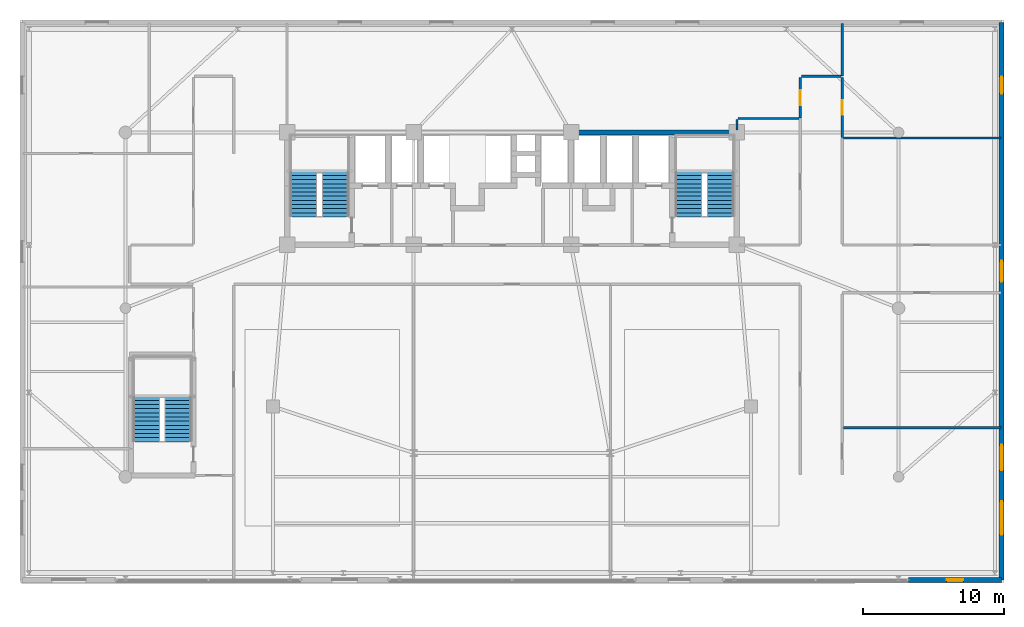
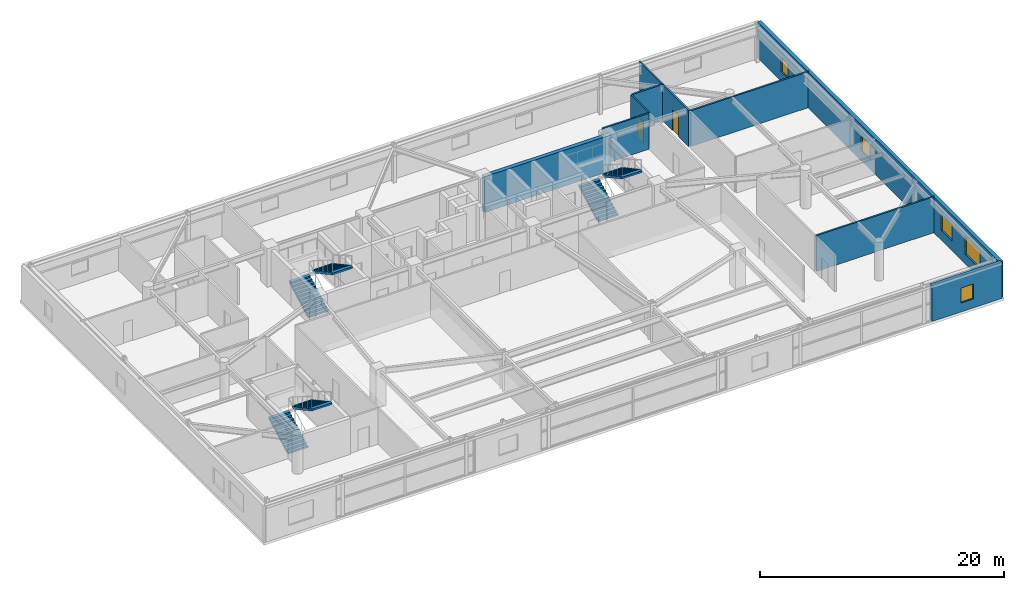
# One storey, part 23 of 26: 11 walls, 6 stair flights, 5 windows, 2 doors, 7 openings, 3 elements without a shape of their own.
"""IFC4 building model written with IfcOpenShell, lengths in metres."""

from ifc_helpers import new_model, si_unit, direction, frame, frame_2d, origin, place, context, subcontext, project, spatial, polyline, rectangle, outline, extrude, source, transform, mapped, material, layer, layer_set, type_object, element, fill, aggregate, save


model = new_model("IFC4")

# Units and contexts
model_context = context("Model", 3, precision=1e-05, world=origin(), true_north=direction((0.0, 1.0)))
body_context = subcontext(model_context, "Body", "Model", "MODEL_VIEW")
ifc_project = project(units=[si_unit("LENGTHUNIT", "METRE"), si_unit("AREAUNIT", "SQUARE_METRE"), si_unit("VOLUMEUNIT", "CUBIC_METRE"), si_unit("PLANEANGLEUNIT", "RADIAN"), si_unit("MASSUNIT", "GRAM", prefix="KILO")], contexts=[model_context])

# Site, building, storey
site_placement = place(None, origin())
site = spatial("IfcSite", under=ifc_project, at=site_placement, CompositionType="ELEMENT")
building_placement = place(site_placement, origin())
building = spatial("IfcBuilding", under=site, at=building_placement, Name="Taldren Reach Tower", CompositionType="ELEMENT")
storey_placement = place(building_placement, frame((0.0, 0.0, 4.550048828125)))
storey = spatial("IfcBuildingStorey", under=building, at=storey_placement, Name="L01", CompositionType="ELEMENT", Elevation=4.550048828125)

# Wall, opening, window
ifc_material_1 = material(Name="Pale Champagne Anodised Aluminium Cladding", Category="aluminium")
ifc_layer_1 = layer(ifc_material_1, 0.04, Name="Pale Champagne Anodised Aluminium Cladding", Category="aluminium")
ifc_material_2 = material(Name="Mineral Wool Thermal Insulation", Category="insulation")
ifc_layer_2 = layer(ifc_material_2, 0.08, Name="Mineral Wool Thermal Insulation", Category="insulation")
ifc_material_3 = material(Name="Concrete S50 (50 MPa)", Category="concrete")
ifc_layer_3 = layer(ifc_material_3, 0.22, Name="Concrete S50 (50 MPa)", Category="concrete")
ifc_layer_set_1 = layer_set([ifc_layer_1, ifc_layer_2, ifc_layer_3], Name="Pale Champagne Aluminium Cladding and Precast Concrete 50 MPa (S50)")
wall_type_1 = type_object("IfcWallType", Name="EW-POD-340", PredefinedType="SOLIDWALL", material=ifc_layer_set_1)
shared_shape_1 = source(origin(), body_context, "Body", "SweptSolid", [
    extrude(rectangle(XDim=6.630126953125, YDim=0.340087890625, at=frame_2d((3.31494140625, 0.0))), origin(), (0.0, 0.0, 1.0), 3.58984375),
])
wall_1_placement = place(storey_placement, frame((63.199951171875, 0.169921875, 0.0), z_axis=(0.0, 0.0, 1.0), x_axis=(1.0, 0.0, 0.0)))
wall_1 = element("IfcWall", 1, at=wall_1_placement, inside=storey, type_object=wall_type_1, Name="Podium south facade wall L01-S4", PredefinedType="SOLIDWALL", context=body_context, shape_type="MappedRepresentation", body=[
    mapped(shared_shape_1, transform((0.0, 0.0, 0.0), scale=1.0)),
])
shared_shape_2 = source(origin(), body_context, "Body", "SweptSolid", [
    extrude(rectangle(XDim=1.199951171875, YDim=1.5, at=frame_2d((0.60009765625, 0.75))), frame((0.0, 0.18017578125, 0.0), z_axis=(0.0, -1.0, 0.0), x_axis=(1.0, 0.0, 0.0)), (0.0, 0.0, 1.0), 0.360107421875),
])
opening_1_placement = place(wall_1_placement, frame((2.715087890625, 0.0, 0.89990234375)))
opening_1 = element("IfcOpeningElement", 2, at=opening_1_placement, cuts=wall_1, Name="Opening W-1215", PredefinedType="OPENING", context=body_context, shape_type="MappedRepresentation", body=[
    mapped(shared_shape_2, transform((0.0, 0.0, 0.0), scale=1.0)),
])
ifc_material_4 = material(Name="Thermally Broken Aluminium and Low-E IGU", Category="aluminium")
window_type_1 = type_object("IfcWindowType", Name="WN-POD-1200", PartitioningType="SINGLE_PANEL", PredefinedType="WINDOW", material=ifc_material_4)
shared_shape_3 = source(origin(), body_context, "Body", "SweptSolid", [
    extrude(rectangle(XDim=1.199951171875, YDim=1.5, at=frame_2d((0.60009765625, 0.75))), frame((0.0, 0.030029296875, 0.0), z_axis=(0.0, -1.0, 0.0), x_axis=(1.0, 0.0, 0.0)), (0.0, 0.0, 1.0), 0.06005859375),
])
window_1_placement = place(opening_1_placement, origin())
window_1 = element("IfcWindow", 3, at=window_1_placement, inside=storey, type_object=window_type_1, Name="Podium clinical window L01-S4", OverallHeight=1.5, OverallWidth=1.199951171875, PartitioningType="SINGLE_PANEL", PredefinedType="WINDOW", context=body_context, shape_type="MappedRepresentation", body=[
    mapped(shared_shape_3, transform((0.0, 0.0, 0.0), scale=1.0)),
])
fill(opening_1, window_1)

# Wall, openings, windows
shared_shape_4 = source(origin(), body_context, "Body", "SweptSolid", [
    extrude(rectangle(XDim=39.66015625, YDim=0.340087890625, at=frame_2d((19.830078125, 0.0))), origin(), (0.0, 0.0, 1.0), 3.58984375),
])
wall_2_placement = place(storey_placement, frame((69.830078125, 0.169921875, 0.0), z_axis=(0.0, 0.0, 1.0), x_axis=(0.0, 1.0, 0.0)))
wall_2 = element("IfcWall", 4, at=wall_2_placement, inside=storey, type_object=wall_type_1, Name="Podium facade wall L01-E", PredefinedType="SOLIDWALL", context=body_context, shape_type="MappedRepresentation", body=[
    mapped(shared_shape_4, transform((0.0, 0.0, 0.0), scale=1.0)),
])
shared_shape_5 = source(origin(), body_context, "Body", "SweptSolid", [
    extrude(rectangle(XDim=2.39990234375, YDim=1.800048828125, at=frame_2d((1.199951171875, 0.89990234375))), frame((0.0, 0.18017578125, 0.0), z_axis=(0.0, -1.0, 0.0), x_axis=(1.0, 0.0, 0.0)), (0.0, 0.0, 1.0), 0.360107421875),
])
opening_2_placement = place(wall_2_placement, frame((3.199951171875, 0.0, 0.949951171875)))
opening_2 = element("IfcOpeningElement", 5, at=opening_2_placement, cuts=wall_2, Name="Opening W-2418", PredefinedType="OPENING", context=body_context, shape_type="MappedRepresentation", body=[
    mapped(shared_shape_5, transform((0.0, 0.0, 0.0), scale=1.0)),
])
shared_shape_6 = source(origin(), body_context, "Body", "SweptSolid", [
    extrude(rectangle(XDim=1.800048828125, YDim=1.60009765625, at=frame_2d((0.89990234375, 0.800048828125))), frame((0.0, 0.18017578125, 0.0), z_axis=(0.0, -1.0, 0.0), x_axis=(1.0, 0.0, 0.0)), (0.0, 0.0, 1.0), 0.360107421875),
])
opening_3_placement = place(wall_2_placement, frame((7.800048828125, 0.0, 0.949951171875)))
opening_3 = element("IfcOpeningElement", 6, at=opening_3_placement, cuts=wall_2, Name="Opening W-1816", PredefinedType="OPENING", context=body_context, shape_type="MappedRepresentation", body=[
    mapped(shared_shape_6, transform((0.0, 0.0, 0.0), scale=1.0)),
])
shared_shape_7 = source(origin(), body_context, "Body", "SweptSolid", [
    extrude(rectangle(XDim=1.5, YDim=1.5, at=frame_2d((0.75, 0.75))), frame((0.0, 0.18017578125, 0.0), z_axis=(0.0, -1.0, 0.0), x_axis=(1.0, 0.0, 0.0)), (0.0, 0.0, 1.0), 0.360107421875),
])
opening_4_placement = place(wall_2_placement, frame((21.199951171875, 0.0, 0.949951171875)))
opening_4 = element("IfcOpeningElement", 7, at=opening_4_placement, cuts=wall_2, Name="Opening W-1515", PredefinedType="OPENING", context=body_context, shape_type="MappedRepresentation", body=[
    mapped(shared_shape_7, transform((0.0, 0.0, 0.0), scale=1.0)),
])
opening_5_placement = place(wall_2_placement, frame((34.60009765625, 0.0, 0.949951171875)))
opening_5 = element("IfcOpeningElement", 8, at=opening_5_placement, cuts=wall_2, Name="Opening W-1215", PredefinedType="OPENING", context=body_context, shape_type="MappedRepresentation", body=[
    mapped(shared_shape_2, transform((0.0, 0.0, 0.0), scale=1.0)),
])
window_2_placement = place(opening_5_placement, origin())
window_2 = element("IfcWindow", 9, at=window_2_placement, inside=storey, type_object=window_type_1, Name="Clinical window L01-E4", OverallHeight=1.5, OverallWidth=1.199951171875, PartitioningType="SINGLE_PANEL", PredefinedType="WINDOW", context=body_context, shape_type="MappedRepresentation", body=[
    mapped(shared_shape_3, transform((0.0, 0.0, 0.0), scale=1.0)),
])
fill(opening_5, window_2)
window_type_2 = type_object("IfcWindowType", Name="WN-POD-1800", PartitioningType="SINGLE_PANEL", PredefinedType="WINDOW", material=ifc_material_4)
shared_shape_8 = source(origin(), body_context, "Body", "SweptSolid", [
    extrude(rectangle(XDim=1.800048828125, YDim=1.60009765625, at=frame_2d((0.89990234375, 0.800048828125))), frame((0.0, 0.030029296875, 0.0), z_axis=(0.0, -1.0, 0.0), x_axis=(1.0, 0.0, 0.0)), (0.0, 0.0, 1.0), 0.06005859375),
])
window_3_placement = place(opening_3_placement, origin())
window_3 = element("IfcWindow", 10, at=window_3_placement, inside=storey, type_object=window_type_2, Name="Clinical window L01-E2", OverallHeight=1.60009765625, OverallWidth=1.800048828125, PartitioningType="SINGLE_PANEL", PredefinedType="WINDOW", context=body_context, shape_type="MappedRepresentation", body=[
    mapped(shared_shape_8, transform((0.0, 0.0, 0.0), scale=1.0)),
])
fill(opening_3, window_3)
window_type_3 = type_object("IfcWindowType", Name="WN-POD-2400", PartitioningType="SINGLE_PANEL", PredefinedType="WINDOW", material=ifc_material_4)
shared_shape_9 = source(origin(), body_context, "Body", "SweptSolid", [
    extrude(rectangle(XDim=2.39990234375, YDim=1.800048828125, at=frame_2d((1.199951171875, 0.89990234375))), frame((0.0, 0.030029296875, 0.0), z_axis=(0.0, -1.0, 0.0), x_axis=(1.0, 0.0, 0.0)), (0.0, 0.0, 1.0), 0.06005859375),
])
window_4_placement = place(opening_2_placement, origin())
window_4 = element("IfcWindow", 11, at=window_4_placement, inside=storey, type_object=window_type_3, Name="Clinical window L01-E1", OverallHeight=1.800048828125, OverallWidth=2.39990234375, PartitioningType="SINGLE_PANEL", PredefinedType="WINDOW", context=body_context, shape_type="MappedRepresentation", body=[
    mapped(shared_shape_9, transform((0.0, 0.0, 0.0), scale=1.0)),
])
fill(opening_2, window_4)
window_type_4 = type_object("IfcWindowType", Name="WN-POD-1500", PartitioningType="SINGLE_PANEL", PredefinedType="WINDOW", material=ifc_material_4)
shared_shape_10 = source(origin(), body_context, "Body", "SweptSolid", [
    extrude(rectangle(XDim=1.5, YDim=1.5, at=frame_2d((0.75, 0.75))), frame((0.0, 0.030029296875, 0.0), z_axis=(0.0, -1.0, 0.0), x_axis=(1.0, 0.0, 0.0)), (0.0, 0.0, 1.0), 0.06005859375),
])
window_5_placement = place(opening_4_placement, origin())
window_5 = element("IfcWindow", 12, at=window_5_placement, inside=storey, type_object=window_type_4, Name="Clinical window L01-E3", OverallHeight=1.5, OverallWidth=1.5, PartitioningType="SINGLE_PANEL", PredefinedType="WINDOW", context=body_context, shape_type="MappedRepresentation", body=[
    mapped(shared_shape_10, transform((0.0, 0.0, 0.0), scale=1.0)),
])
fill(opening_4, window_5)

# Wall
ifc_material_5 = material(Name="Concrete S80 (80 MPa)", Category="concrete")
ifc_layer_4 = layer(ifc_material_5, 0.3798828125)
ifc_layer_set_2 = layer_set([ifc_layer_4], Name="Concrete S80 (80 MPa)")
wall_type_2 = type_object("IfcWallType", Name="IW-CORE-380", PredefinedType="SHEAR", material=ifc_layer_set_2)
shared_shape_11 = source(origin(), body_context, "Body", "SweptSolid", [
    extrude(rectangle(XDim=11.989990234375, YDim=0.3798828125, at=frame_2d((5.9951171875, 0.0))), origin(), (0.0, 0.0, 1.0), 3.58984375),
])
wall_3_placement = place(storey_placement, frame((39.199951171875, 32.0, 0.0), z_axis=(0.0, 0.0, 1.0), x_axis=(1.0, 0.0, 0.0)))
element("IfcWall", 13, at=wall_3_placement, inside=storey, type_object=wall_type_2, Name="Rear Core Shear Wall W-CORE-L01-NORTH3", PredefinedType="SHEAR", context=body_context, shape_type="MappedRepresentation", body=[
    mapped(shared_shape_11, transform((0.0, 0.0, 0.0), scale=1.0)),
])

# Wall, opening, door
ifc_material_6 = material(Name="Fire-Rated Acoustic Plasterboard Stud Wall", Category="gypsum")
ifc_layer_5 = layer(ifc_material_6, 0.159912109375)
ifc_layer_set_3 = layer_set([ifc_layer_5], Name="Fire-Rated Acoustic Plasterboard Stud Wall")
wall_type_3 = type_object("IfcWallType", Name="IW-FIRE-160", PredefinedType="PARTITIONING", material=ifc_layer_set_3)
shared_shape_12 = source(origin(), body_context, "Body", "SweptSolid", [
    extrude(rectangle(XDim=4.291748046875, YDim=0.159912109375, at=frame_2d((2.14599609375, 0.0))), origin(), (0.0, 0.0, 1.0), 3.58984375),
])
wall_4_placement = place(storey_placement, frame((58.5, 35.919921875, 0.0), z_axis=(0.0, 0.0, 1.0), x_axis=(0.0, -1.0, 0.0)))
wall_4 = element("IfcWall", 14, at=wall_4_placement, inside=storey, type_object=wall_type_3, Name="Interior Partition Wall W-INT-L01-069", PredefinedType="PARTITIONING", context=body_context, shape_type="MappedRepresentation", body=[
    mapped(shared_shape_12, transform((0.0, 0.0, 0.0), scale=1.0)),
])
shared_shape_13 = source(origin(), body_context, "Body", "SweptSolid", [
    extrude(rectangle(XDim=1.050048828125, YDim=2.10009765625, at=frame_2d((0.52490234375, 1.050048828125))), frame((0.0, 0.08984375, 0.0), z_axis=(0.0, -1.0, 0.0), x_axis=(1.0, 0.0, 0.0)), (0.0, 0.0, 1.0), 0.179931640625),
])
opening_6_placement = place(wall_4_placement, frame((1.620849609375, 0.0, 0.0)))
opening_6 = element("IfcOpeningElement", 15, at=opening_6_placement, cuts=wall_4, Name="Opening DF-105", PredefinedType="OPENING", context=body_context, shape_type="MappedRepresentation", body=[
    mapped(shared_shape_13, transform((0.0, 0.0, 0.0), scale=1.0)),
])
ifc_material_7 = material(Name="Fire-Rated Care and Stair Exit Door")
door_type = type_object("IfcDoorType", Name="ID-FIRE-105", OperationType="NOTDEFINED", PredefinedType="DOOR", material=ifc_material_7)
shared_shape_14 = source(origin(), body_context, "Body", "SweptSolid", [
    extrude(rectangle(XDim=1.050048828125, YDim=2.10009765625, at=frame_2d((0.52490234375, 1.050048828125))), frame((0.0, 0.02490234375, 0.0), z_axis=(0.0, -1.0, 0.0), x_axis=(1.0, 0.0, 0.0)), (0.0, 0.0, 1.0), 0.050048828125),
])
door_1_placement = place(opening_6_placement, origin())
door_1 = element("IfcDoor", 16, at=door_1_placement, inside=storey, type_object=door_type, Name="Interior Door DR-L01-019", OperationType="SINGLE_SWING_RIGHT", OverallHeight=2.10009765625, OverallWidth=1.050048828125, PredefinedType="DOOR", context=body_context, shape_type="MappedRepresentation", body=[
    mapped(shared_shape_14, transform((0.0, 0.0, 0.0), scale=1.0)),
])
fill(opening_6, door_1)

shared_shape_15 = source(origin(), body_context, "Body", "SweptSolid", [
    extrude(rectangle(XDim=2.899658203125, YDim=0.159912109375, at=frame_2d((1.44970703125, 0.0))), origin(), (0.0, 0.0, 1.0), 3.58984375),
])
wall_5_placement = place(storey_placement, frame((55.5, 33.020263671875, 0.0), z_axis=(0.0, 0.0, 1.0), x_axis=(0.0, 1.0, 0.0)))
wall_5 = element("IfcWall", 17, at=wall_5_placement, inside=storey, type_object=wall_type_3, Name="Interior Partition Wall W-INT-L01-072", PredefinedType="PARTITIONING", context=body_context, shape_type="MappedRepresentation", body=[
    mapped(shared_shape_15, transform((0.0, 0.0, 0.0), scale=1.0)),
])
opening_7_placement = place(wall_5_placement, frame((0.9248046875, 0.0, 0.0)))
opening_7 = element("IfcOpeningElement", 18, at=opening_7_placement, cuts=wall_5, Name="Opening DF-105", PredefinedType="OPENING", context=body_context, shape_type="MappedRepresentation", body=[
    mapped(shared_shape_13, transform((0.0, 0.0, 0.0), scale=1.0)),
])
door_2_placement = place(opening_7_placement, origin())
door_2 = element("IfcDoor", 19, at=door_2_placement, inside=storey, type_object=door_type, Name="Interior Door DR-L01-021", OperationType="SINGLE_SWING_RIGHT", OverallHeight=2.10009765625, OverallWidth=1.050048828125, PredefinedType="DOOR", context=body_context, shape_type="MappedRepresentation", body=[
    mapped(shared_shape_14, transform((0.0, 0.0, 0.0), scale=1.0)),
])
fill(opening_7, door_2)

# Walls
shared_shape_16 = source(origin(), body_context, "Body", "SweptSolid", [
    extrude(rectangle(XDim=2.83984375, YDim=0.159912109375, at=frame_2d((1.419921875, 0.0))), origin(), (0.0, 0.0, 1.0), 3.58984375),
])
wall_6_placement = place(storey_placement, frame((55.580078125, 36.0, 0.0), z_axis=(0.0, 0.0, 1.0), x_axis=(1.0, 0.0, 0.0)))
element("IfcWall", 20, at=wall_6_placement, inside=storey, type_object=wall_type_3, Name="Interior Partition Wall W-INT-L01-073", PredefinedType="PARTITIONING", context=body_context, shape_type="MappedRepresentation", body=[
    mapped(shared_shape_16, transform((0.0, 0.0, 0.0), scale=1.0)),
])
shared_shape_17 = source(origin(), body_context, "Body", "SweptSolid", [
    extrude(rectangle(XDim=11.18994140625, YDim=0.159912109375, at=frame_2d((5.594970703125, 0.0))), origin(), (0.0, 0.0, 1.0), 3.58984375),
])
for number, where, z_axis, x_axis, name in (
    (21, (58.580078125, 11.0, 0.0), (0.0, 0.0, 1.0), (1.0, 0.0, 0.0), "Interior Partition Wall W-INT-L01-083"),
    (22, (58.580078125, 31.60791015625, 0.0), (0.0, 0.0, 1.0), (1.0, 0.0, 0.0), "Interior Partition Wall W-INT-L01-084"),
):
    element("IfcWall", number, at=place(storey_placement, frame(where, z_axis=z_axis, x_axis=x_axis)), inside=storey, type_object=wall_type_3, Name=name, PredefinedType="PARTITIONING", context=body_context, shape_type="MappedRepresentation", body=[
        mapped(shared_shape_17, transform((0.0, 0.0, 0.0), scale=1.0)),
    ])
shared_shape_18 = source(origin(), body_context, "Body", "SweptSolid", [
    extrude(rectangle(XDim=3.747802734375, YDim=0.159912109375, at=frame_2d((1.8740234375, 0.0))), origin(), (0.0, 0.0, 1.0), 3.58984375),
])
wall_7_placement = place(storey_placement, frame((58.5, 36.020263671875, 0.0), z_axis=(0.0, 0.0, 1.0), x_axis=(0.0, 1.0, 0.0)))
element("IfcWall", 23, at=wall_7_placement, inside=storey, type_object=wall_type_3, Name="Interior Partition Wall W-INT-L01-085", PredefinedType="PARTITIONING", context=body_context, shape_type="MappedRepresentation", body=[
    mapped(shared_shape_18, transform((0.0, 0.0, 0.0), scale=1.0)),
])
shared_shape_19 = source(origin(), body_context, "Body", "SweptSolid", [
    extrude(rectangle(XDim=4.33984375, YDim=0.159912109375, at=frame_2d((2.169921875, 0.0))), origin(), (0.0, 0.0, 1.0), 3.58984375),
])
wall_8_placement = place(storey_placement, frame((51.080078125, 33.0, 0.0), z_axis=(0.0, 0.0, 1.0), x_axis=(1.0, 0.0, 0.0)))
element("IfcWall", 24, at=wall_8_placement, inside=storey, type_object=wall_type_3, Name="Interior Partition Wall W-INT-L01-086", PredefinedType="PARTITIONING", context=body_context, shape_type="MappedRepresentation", body=[
    mapped(shared_shape_19, transform((0.0, 0.0, 0.0), scale=1.0)),
])
shared_shape_20 = source(origin(), body_context, "Body", "SweptSolid", [
    extrude(rectangle(XDim=0.72998046875, YDim=0.159912109375, at=frame_2d((0.364990234375, 0.0))), origin(), (0.0, 0.0, 1.0), 3.58984375),
])
wall_9_placement = place(storey_placement, frame((51.0, 32.18994140625, 0.0), z_axis=(0.0, 0.0, 1.0), x_axis=(0.0, 1.0, 0.0)))
element("IfcWall", 25, at=wall_9_placement, inside=storey, type_object=wall_type_3, Name="Interior Partition Wall W-INT-L01-087", PredefinedType="PARTITIONING", context=body_context, shape_type="MappedRepresentation", body=[
    mapped(shared_shape_20, transform((0.0, 0.0, 0.0), scale=1.0)),
])

# Stair, stair flights
stair_type_1 = type_object("IfcStairType", Name="ST-HT-385W", PredefinedType="HALF_TURN_STAIR", material=ifc_material_3)
stair_1_placement = place(storey_placement, origin())
stair_1 = element("IfcStair", 26, at=stair_1_placement, inside=storey, type_object=stair_type_1, Name="Fire-isolated exit stair ST1 L01", PredefinedType="HALF_TURN_STAIR")
stair_flight_type_1 = type_object("IfcStairFlightType", Name="SF-STR-385W", PredefinedType="STRAIGHT", material=ifc_material_3)
stair_flight_1_placement = place(storey_placement, frame((20.169921875, 25.989990234375, 0.0), z_axis=(0.0, 0.0, 1.0), x_axis=(0.0, 1.0, 0.0)))
stair_flight_1 = element("IfcStairFlight", 27, at=stair_flight_1_placement, type_object=stair_flight_type_1, Name="ST1 flight 1", NumberOfRisers=12, NumberOfTreads=11, PredefinedType="STRAIGHT", RiserHeight=0.160417, TreadLength=0.295, context=body_context, shape_type="SweptSolid", body=[
    extrude(outline(polyline([(0.0, 0.0), (0.0, 0.160400390625), (0.294921875, 0.160400390625), (0.294921875, 0.32080078125), (0.590087890625, 0.32080078125), (0.590087890625, 0.481201171875), (0.885009765625, 0.481201171875), (0.885009765625, 0.6416015625), (1.179931640625, 0.6416015625), (1.179931640625, 0.802001953125), (1.47509765625, 0.802001953125), (1.47509765625, 0.96240234375), (1.77001953125, 0.96240234375), (1.77001953125, 1.122802734375), (2.06494140625, 1.122802734375), (2.06494140625, 1.283447265625), (2.360107421875, 1.283447265625), (2.360107421875, 1.44384765625), (2.655029296875, 1.44384765625), (2.655029296875, 1.604248046875), (2.949951171875, 1.604248046875), (2.949951171875, 1.7646484375), (3.2451171875, 1.7646484375), (3.2451171875, 1.925048828125), (3.2451171875, 1.58251953125), (0.334716796875, 0.0), (0.0, 0.0)])), frame((0.0, 0.949951171875, 0.0), z_axis=(0.0, -1.0, 0.0), x_axis=(1.0, 0.0, 0.0)), (0.0, 0.0, 1.0), 1.89990234375),
])
stair_flight_2_placement = place(storey_placement, frame((22.429931640625, 29.235107421875, 1.925048828125), z_axis=(0.0, 0.0, 1.0), x_axis=(0.0, -1.0, 0.0)))
stair_flight_2 = element("IfcStairFlight", 28, at=stair_flight_2_placement, type_object=stair_flight_type_1, Name="ST1 flight 2", NumberOfRisers=12, NumberOfTreads=11, PredefinedType="STRAIGHT", RiserHeight=0.160417, TreadLength=0.295, context=body_context, shape_type="SweptSolid", body=[
    extrude(outline(polyline([(0.0, 0.0), (0.0, 0.160400390625), (0.294921875, 0.160400390625), (0.294921875, 0.32080078125), (0.590087890625, 0.32080078125), (0.590087890625, 0.481201171875), (0.885009765625, 0.481201171875), (0.885009765625, 0.6416015625), (1.179931640625, 0.6416015625), (1.179931640625, 0.802001953125), (1.47509765625, 0.802001953125), (1.47509765625, 0.96240234375), (1.77001953125, 0.96240234375), (1.77001953125, 1.122802734375), (2.06494140625, 1.122802734375), (2.06494140625, 1.283447265625), (2.360107421875, 1.283447265625), (2.360107421875, 1.44384765625), (2.655029296875, 1.44384765625), (2.655029296875, 1.604248046875), (2.949951171875, 1.604248046875), (2.949951171875, 1.7646484375), (3.2451171875, 1.7646484375), (3.2451171875, 1.925048828125), (3.2451171875, 1.58251953125), (0.334716796875, 0.0), (0.0, 0.0)])), frame((0.0, 0.949951171875, 0.0), z_axis=(0.0, -1.0, 0.0), x_axis=(1.0, 0.0, 0.0)), (0.0, 0.0, 1.0), 1.89990234375),
])
aggregate(stair_1, [stair_flight_1, stair_flight_2])

stair_2_placement = place(storey_placement, origin())
stair_2 = element("IfcStair", 29, at=stair_2_placement, inside=storey, type_object=stair_type_1, Name="Fire-isolated exit stair ST2 L01", PredefinedType="HALF_TURN_STAIR")
stair_flight_3_placement = place(storey_placement, frame((47.570068359375, 25.989990234375, 0.0), z_axis=(0.0, 0.0, 1.0), x_axis=(0.0, 1.0, 0.0)))
stair_flight_3 = element("IfcStairFlight", 30, at=stair_flight_3_placement, type_object=stair_flight_type_1, Name="ST2 flight 1", NumberOfRisers=12, NumberOfTreads=11, PredefinedType="STRAIGHT", RiserHeight=0.160417, TreadLength=0.295, context=body_context, shape_type="SweptSolid", body=[
    extrude(outline(polyline([(0.0, 0.0), (0.0, 0.160400390625), (0.294921875, 0.160400390625), (0.294921875, 0.32080078125), (0.590087890625, 0.32080078125), (0.590087890625, 0.481201171875), (0.885009765625, 0.481201171875), (0.885009765625, 0.6416015625), (1.179931640625, 0.6416015625), (1.179931640625, 0.802001953125), (1.47509765625, 0.802001953125), (1.47509765625, 0.96240234375), (1.77001953125, 0.96240234375), (1.77001953125, 1.122802734375), (2.06494140625, 1.122802734375), (2.06494140625, 1.283447265625), (2.360107421875, 1.283447265625), (2.360107421875, 1.44384765625), (2.655029296875, 1.44384765625), (2.655029296875, 1.604248046875), (2.949951171875, 1.604248046875), (2.949951171875, 1.7646484375), (3.2451171875, 1.7646484375), (3.2451171875, 1.925048828125), (3.2451171875, 1.58251953125), (0.334716796875, 0.0), (0.0, 0.0)])), frame((0.0, 0.949951171875, 0.0), z_axis=(0.0, -1.0, 0.0), x_axis=(1.0, 0.0, 0.0)), (0.0, 0.0, 1.0), 1.89990234375),
])
stair_flight_4_placement = place(storey_placement, frame((49.830078125, 29.235107421875, 1.925048828125), z_axis=(0.0, 0.0, 1.0), x_axis=(0.0, -1.0, 0.0)))
stair_flight_4 = element("IfcStairFlight", 31, at=stair_flight_4_placement, type_object=stair_flight_type_1, Name="ST2 flight 2", NumberOfRisers=12, NumberOfTreads=11, PredefinedType="STRAIGHT", RiserHeight=0.160417, TreadLength=0.295, context=body_context, shape_type="SweptSolid", body=[
    extrude(outline(polyline([(0.0, 0.0), (0.0, 0.160400390625), (0.294921875, 0.160400390625), (0.294921875, 0.32080078125), (0.590087890625, 0.32080078125), (0.590087890625, 0.481201171875), (0.885009765625, 0.481201171875), (0.885009765625, 0.6416015625), (1.179931640625, 0.6416015625), (1.179931640625, 0.802001953125), (1.47509765625, 0.802001953125), (1.47509765625, 0.96240234375), (1.77001953125, 0.96240234375), (1.77001953125, 1.122802734375), (2.06494140625, 1.122802734375), (2.06494140625, 1.283447265625), (2.360107421875, 1.283447265625), (2.360107421875, 1.44384765625), (2.655029296875, 1.44384765625), (2.655029296875, 1.604248046875), (2.949951171875, 1.604248046875), (2.949951171875, 1.7646484375), (3.2451171875, 1.7646484375), (3.2451171875, 1.925048828125), (3.2451171875, 1.58251953125), (0.334716796875, 0.0), (0.0, 0.0)])), frame((0.0, 0.949951171875, 0.0), z_axis=(0.0, -1.0, 0.0), x_axis=(1.0, 0.0, 0.0)), (0.0, 0.0, 1.0), 1.89990234375),
])
aggregate(stair_2, [stair_flight_3, stair_flight_4])

stair_type_2 = type_object("IfcStairType", Name="ST-HT-POD", PredefinedType="HALF_TURN_STAIR", material=ifc_material_3)
stair_3_placement = place(storey_placement, origin())
stair_3 = element("IfcStair", 32, at=stair_3_placement, inside=storey, type_object=stair_type_2, Name="Fire-isolated exit stair ST3 L01", PredefinedType="HALF_TURN_STAIR")
stair_flight_type_2 = type_object("IfcStairFlightType", Name="SF-STR-POD", PredefinedType="STRAIGHT", material=ifc_material_3)
stair_flight_5_placement = place(storey_placement, frame((9.0, 9.989990234375, 0.0), z_axis=(0.0, 0.0, 1.0), x_axis=(0.0, 1.0, 0.0)))
stair_flight_5 = element("IfcStairFlight", 33, at=stair_flight_5_placement, type_object=stair_flight_type_2, Name="ST3 flight 1", NumberOfRisers=12, NumberOfTreads=11, PredefinedType="STRAIGHT", RiserHeight=0.160417, TreadLength=0.295, context=body_context, shape_type="SweptSolid", body=[
    extrude(outline(polyline([(0.0, 0.0), (0.0, 0.160400390625), (0.294921875, 0.160400390625), (0.294921875, 0.32080078125), (0.590087890625, 0.32080078125), (0.590087890625, 0.481201171875), (0.885009765625, 0.481201171875), (0.885009765625, 0.6416015625), (1.179931640625, 0.6416015625), (1.179931640625, 0.802001953125), (1.47509765625, 0.802001953125), (1.47509765625, 0.96240234375), (1.77001953125, 0.96240234375), (1.77001953125, 1.122802734375), (2.06494140625, 1.122802734375), (2.06494140625, 1.283447265625), (2.360107421875, 1.283447265625), (2.360107421875, 1.44384765625), (2.655029296875, 1.44384765625), (2.655029296875, 1.604248046875), (2.949951171875, 1.604248046875), (2.949951171875, 1.7646484375), (3.2451171875, 1.7646484375), (3.2451171875, 1.925048828125), (3.2451171875, 1.58251953125), (0.334716796875, 0.0), (0.0, 0.0)])), frame((0.0, 0.949951171875, 0.0), z_axis=(0.0, -1.0, 0.0), x_axis=(1.0, 0.0, 0.0)), (0.0, 0.0, 1.0), 1.89990234375),
])
stair_flight_6_placement = place(storey_placement, frame((11.239990234375, 13.235107421875, 1.925048828125), z_axis=(0.0, 0.0, 1.0), x_axis=(0.0, -1.0, 0.0)))
stair_flight_6 = element("IfcStairFlight", 34, at=stair_flight_6_placement, type_object=stair_flight_type_2, Name="ST3 flight 2", NumberOfRisers=12, NumberOfTreads=11, PredefinedType="STRAIGHT", RiserHeight=0.160417, TreadLength=0.295, context=body_context, shape_type="SweptSolid", body=[
    extrude(outline(polyline([(0.0, 0.0), (0.0, 0.160400390625), (0.294921875, 0.160400390625), (0.294921875, 0.32080078125), (0.590087890625, 0.32080078125), (0.590087890625, 0.481201171875), (0.885009765625, 0.481201171875), (0.885009765625, 0.6416015625), (1.179931640625, 0.6416015625), (1.179931640625, 0.802001953125), (1.47509765625, 0.802001953125), (1.47509765625, 0.96240234375), (1.77001953125, 0.96240234375), (1.77001953125, 1.122802734375), (2.06494140625, 1.122802734375), (2.06494140625, 1.283447265625), (2.360107421875, 1.283447265625), (2.360107421875, 1.44384765625), (2.655029296875, 1.44384765625), (2.655029296875, 1.604248046875), (2.949951171875, 1.604248046875), (2.949951171875, 1.7646484375), (3.2451171875, 1.7646484375), (3.2451171875, 1.925048828125), (3.2451171875, 1.58251953125), (0.334716796875, 0.0), (0.0, 0.0)])), frame((0.0, 0.949951171875, 0.0), z_axis=(0.0, -1.0, 0.0), x_axis=(1.0, 0.0, 0.0)), (0.0, 0.0, 1.0), 1.89990234375),
])
aggregate(stair_3, [stair_flight_5, stair_flight_6])

save(model, "model.ifc")
